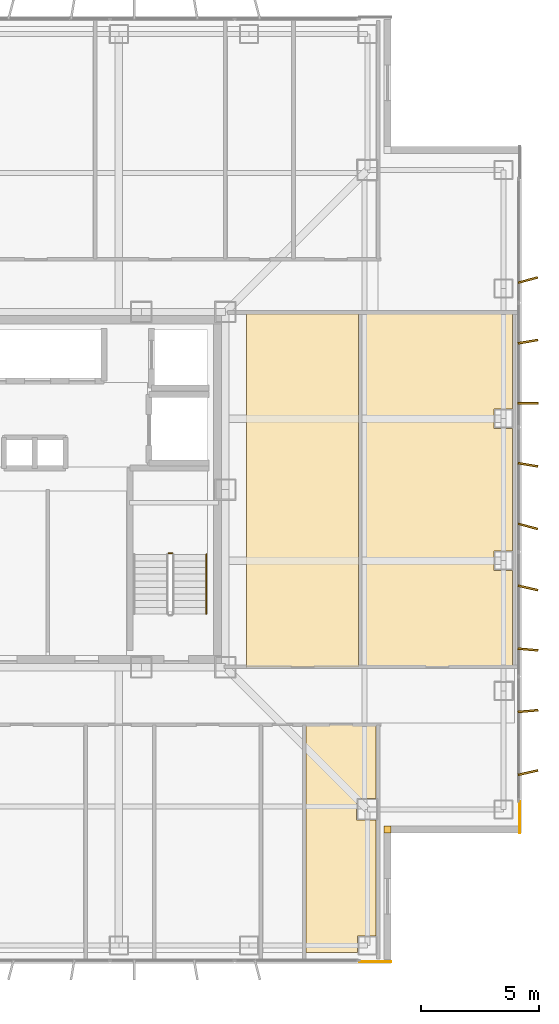
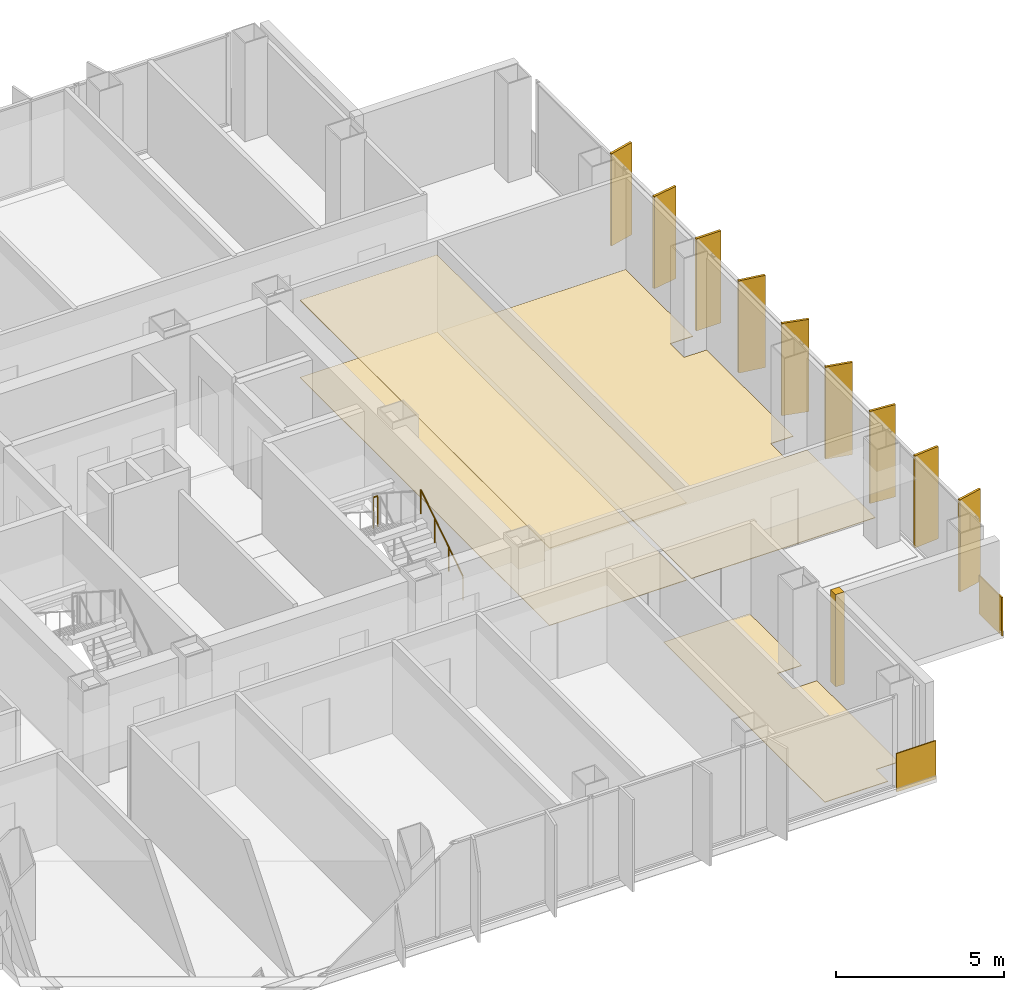
# One storey, part 17 of 18: 9 shading devices, 7 coverings, 2 railings.
"""IFC4 building model written with IfcOpenShell, lengths in metres."""

from ifc_helpers import new_model, si_unit, direction, frame, frame_2d, origin, origin_2d, place, context, subcontext, project, spatial, polyline, rectangle, circle, outline, extrude, material, layer, layer_set, type_object, element, save


model = new_model("IFC4")

# Units and contexts
model_context = context("Model", 3, precision=1e-05, world=origin(), true_north=direction((0.0, 1.0)))
body_context = subcontext(model_context, "Body", "Model", "MODEL_VIEW")
ifc_project = project(units=[si_unit("LENGTHUNIT", "METRE"), si_unit("AREAUNIT", "SQUARE_METRE"), si_unit("VOLUMEUNIT", "CUBIC_METRE"), si_unit("PLANEANGLEUNIT", "RADIAN"), si_unit("MASSUNIT", "GRAM", prefix="KILO")], contexts=[model_context])

# Site, building, storey
site_placement = place(None, origin())
site = spatial("IfcSite", under=ifc_project, at=site_placement, CompositionType="ELEMENT")
building_placement = place(site_placement, origin())
building = spatial("IfcBuilding", under=site, at=building_placement, Name="Trevonay Congress Spire", CompositionType="ELEMENT")
storey_placement = place(building_placement, frame((0.0, 0.0, 173.39990234375)))
storey = spatial("IfcBuildingStorey", under=building, at=storey_placement, Name="L44", CompositionType="ELEMENT", Elevation=173.39990234375)

# Coverings
ifc_material_1 = material(Name="Acoustic Mineral Fibre Board", Category="gypsum")
ifc_layer_1 = layer(ifc_material_1, 0.02490234375, Name="Acoustic Mineral Fibre Board")
ifc_layer_set_1 = layer_set([ifc_layer_1], Name="Acoustic Mineral Fibre Board")
covering_type_1 = type_object("IfcCoveringType", Name="COV-CEIL-ACOUSTIC", PredefinedType="CEILING", material=ifc_layer_set_1)
covering_1_placement = place(storey_placement, frame((0.0, 0.0, 2.81005859375)))
element("IfcCovering", 1, at=covering_1_placement, inside=storey, type_object=covering_type_1, Name="L44 Chambers Espresso Kitchen acoustic suspended ceiling", PredefinedType="CEILING", context=body_context, shape_type="SweptSolid", body=[
    extrude(outline(polyline([(8.39990234375, -7.47998046875), (13.1201171875, -7.47998046875), (13.1201171875, 7.419921875), (8.39990234375, 7.419921875), (8.39990234375, -7.47998046875)])), origin(), (0.0, 0.0, 1.0), 0.025146484375),
])
ifc_material_2 = material(Name="Polished Granite Floor Tile", Category="masonry")
ifc_layer_2 = layer(ifc_material_2, 0.02001953125, Name="Polished Granite Floor Tile")
ifc_layer_set_2 = layer_set([ifc_layer_2], Name="Polished Granite Floor Tile")
covering_type_2 = type_object("IfcCoveringType", Name="COV-FLOOR-STONE", PredefinedType="FLOORING", material=ifc_layer_set_2)
covering_2_placement = place(storey_placement, origin())
element("IfcCovering", 2, at=covering_2_placement, inside=storey, type_object=covering_type_2, Name="L44 Floor Supplies and Copy Room floor finish", PredefinedType="FLOORING", context=body_context, shape_type="SweptSolid", body=[
    extrude(outline(polyline([(10.909912109375, -19.550048828125), (10.909912109375, -9.929931640625), (13.8701171875, -9.929931640625), (13.8701171875, -13.0400390625), (13.0400390625, -13.0400390625), (13.0400390625, -13.9599609375), (13.8701171875, -13.9599609375), (13.8701171875, -18.840087890625), (13.090087890625, -18.840087890625), (13.090087890625, -19.550048828125), (10.909912109375, -19.550048828125)])), origin(), (0.0, 0.0, 1.0), 0.02001953125),
])
covering_3_placement = place(storey_placement, origin())
element("IfcCovering", 3, at=covering_3_placement, inside=storey, type_object=covering_type_2, Name="L44 Chambers Espresso Kitchen floor finish", PredefinedType="FLOORING", context=body_context, shape_type="SweptSolid", body=[
    extrude(outline(polyline([(8.39990234375, -7.47998046875), (13.1201171875, -7.47998046875), (13.1201171875, 7.419921875), (8.39990234375, 7.419921875), (8.39990234375, -7.47998046875)])), origin(), (0.0, 0.0, 1.0), 0.02001953125),
])
covering_4_placement = place(storey_placement, origin())
element("IfcCovering", 4, at=covering_4_placement, inside=storey, type_object=covering_type_2, Name="L44 Law Copy Room floor finish", PredefinedType="FLOORING", context=body_context, shape_type="SweptSolid", body=[
    extrude(outline(polyline([(19.6201171875, -7.47998046875), (13.280029296875, -7.47998046875), (13.280029296875, 7.419921875), (19.6201171875, 7.419921875), (19.6201171875, 3.409912109375), (18.840087890625, 3.409912109375), (18.840087890625, 2.590087890625), (19.6201171875, 2.590087890625), (19.6201171875, -2.590087890625), (18.840087890625, -2.590087890625), (18.840087890625, -3.409912109375), (19.6201171875, -3.409912109375), (19.6201171875, -7.47998046875)])), origin(), (0.0, 0.0, 1.0), 0.02001953125),
])
ifc_material_3 = material(Name="Pale Anodised Aluminium EN AW-6063-T6", Category="aluminium")
ifc_layer_3 = layer(ifc_material_3, 0.0400390625, Name="Pale Anodised Aluminium EN AW-6063-T6")
ifc_layer_set_3 = layer_set([ifc_layer_3], Name="Pale Anodised Aluminium EN AW-6063-T6")
covering_type_3 = type_object("IfcCoveringType", Name="COV-SPANDREL-PALE-METAL", PredefinedType="CLADDING", material=ifc_layer_set_3)
covering_5_placement = place(storey_placement, origin())
element("IfcCovering", 5, at=covering_5_placement, inside=storey, type_object=covering_type_3, Name="L44 SE re-entrant notch corner closure trim", PredefinedType="CLADDING", context=body_context, shape_type="SweptSolid", body=[
    extrude(outline(polyline([(14.199951171875, -14.5), (14.5, -14.5), (14.5, -14.199951171875), (14.199951171875, -14.199951171875), (14.199951171875, -14.5)])), origin(), (0.0, 0.0, 1.0), 3.360107421875),
])
for number, where, z_axis, x_axis, name in (
    (6, (19.93994140625, -13.14990234375, -0.14990234375), (0.0, 0.0, 1.0), (0.0, -1.0, 0.0), "L44 SE corner pier spandrel cladding 1"),
    (7, (13.14990234375, -19.93994140625, -0.14990234375), (0.0, 0.0, 1.0), (1.0, 0.0, 0.0), "L44 SE corner pier spandrel cladding 2"),
):
    element("IfcCovering", number, at=place(storey_placement, frame(where, z_axis=z_axis, x_axis=x_axis)), inside=storey, type_object=covering_type_3, Name=name, PredefinedType="CLADDING", context=body_context, shape_type="SweptSolid", body=[
        extrude(rectangle(XDim=1.35009765625, YDim=0.0400390625, at=frame_2d((0.675048828125, 0.0))), origin(), (0.0, 0.0, 1.0), 1.39990234375),
    ])

# Railings
railing_type_1 = type_object("IfcRailingType", Name="RAL-STAIR-GUARD-110", PredefinedType="GUARDRAIL", material=ifc_material_3)
railing_1_placement = place(storey_placement, frame((5.25, -2.679931640625, 1.800048828125)))
element("IfcRailing", 8, at=railing_1_placement, inside=storey, type_object=railing_type_1, Name="L44 ST-2 stair guard 2", PredefinedType="GUARDRAIL", context=body_context, shape_type="SweptSolid", body=[
    extrude(circle(Radius=0.02392578125, at=origin_2d()), frame((0.0, 0.0, 1.1259765625), z_axis=(-1.0, 0.0, 0.0), x_axis=(0.0, -1.0, 0.0)), (0.0, 0.0, 1.0), 0.14990234375),
    extrude(circle(Radius=0.02099609375, at=origin_2d()), origin(), (0.0, 0.0, 1.0), 1.101806640625),
    extrude(circle(Radius=0.02099609375, at=origin_2d()), frame((-0.14990234375, 0.0, 0.0)), (0.0, 0.0, 1.0), 1.101806640625),
])
railing_type_2 = type_object("IfcRailingType", Name="RAL-STAIR-HANDRAIL", PredefinedType="HANDRAIL", material=ifc_material_3)
railing_2_placement = place(storey_placement, frame((6.699951171875, -5.25, 0.18017578125)))
element("IfcRailing", 9, at=railing_2_placement, inside=storey, type_object=railing_type_2, Name="L44 ST-2 stair handrail 1", PredefinedType="HANDRAIL", context=body_context, shape_type="SweptSolid", body=[
    extrude(circle(Radius=0.02392578125, at=origin_2d()), frame((0.0, 0.0, 0.8759765625), z_axis=(0.0, 0.841199657755, 0.540724639528), x_axis=(-1.0, 0.0, 0.0)), (0.0, 0.0, 1.0), 2.995849609375),
    extrude(circle(Radius=0.02099609375, at=origin_2d()), origin(), (0.0, 0.0, 1.0), 0.851806640625),
    extrude(circle(Radius=0.02099609375, at=origin_2d()), frame((0.0, 0.840087890625, 0.5400390625)), (0.0, 0.0, 1.0), 0.851806640625),
    extrude(circle(Radius=0.02099609375, at=origin_2d()), frame((0.0, 1.679931640625, 1.079833984375)), (0.0, 0.0, 1.0), 0.851806640625),
    extrude(circle(Radius=0.02099609375, at=origin_2d()), frame((0.0, 2.52001953125, 1.619873046875)), (0.0, 0.0, 1.0), 0.851806640625),
])

# Shading devices
shading_device_type = type_object("IfcShadingDeviceType", Name="SHD-FIN-Z3-PALE-METAL", PredefinedType="USERDEFINED", material=ifc_material_3)
for number, where, z_axis, x_axis, name in (
    (10, (20.280029296875, -11.949951171875, 0.0), (0.0, 0.0, 1.0), (-0.224780991261, 0.97440931131, 0.0), "L44 E vertical pale-metal solar fin 1"),
    (11, (20.280029296875, -9.35009765625, 0.0), (0.0, 0.0, 1.0), (-0.089415810539, 0.995994383933, 0.0), "L44 E vertical pale-metal solar fin 2"),
    (12, (20.280029296875, -6.75, 0.0), (0.0, 0.0, 1.0), (0.089415810539, 0.995994383933, 0.0), "L44 E vertical pale-metal solar fin 3"),
    (13, (20.280029296875, -4.14990234375, 0.0), (0.0, 0.0, 1.0), (0.224780991261, 0.97440931131, 0.0), "L44 E vertical pale-metal solar fin 4"),
    (14, (20.280029296875, -1.550048828125, 0.0), (0.0, 0.0, 1.0), (0.2549394954, 0.966957007154, 0.0), "L44 E vertical pale-metal solar fin 5"),
    (15, (20.280029296875, 1.050048828125, 0.0), (0.0, 0.0, 1.0), (0.16745706111, 0.98587937025, 0.0), "L44 E vertical pale-metal solar fin 6"),
    (16, (20.280029296875, 3.64990234375, 0.0), (0.0, 0.0, 1.0), (0.0, 1.0, 0.0), "L44 E vertical pale-metal solar fin 7"),
    (17, (20.280029296875, 6.25, 0.0), (0.0, 0.0, 1.0), (-0.16745706111, 0.98587937025, 0.0), "L44 E vertical pale-metal solar fin 8"),
    (18, (20.280029296875, 8.85009765625, 0.0), (0.0, 0.0, 1.0), (-0.2549394954, 0.966957007154, 0.0), "L44 E vertical pale-metal solar fin 9"),
):
    element("IfcShadingDevice", number, at=place(storey_placement, frame(where, z_axis=z_axis, x_axis=x_axis)), inside=storey, type_object=shading_device_type, Name=name, ObjectType="SOLAR FIN", PredefinedType="USERDEFINED", context=body_context, shape_type="SweptSolid", body=[
        extrude(rectangle(XDim=0.080078125, YDim=0.85009765625, at=origin_2d()), origin(), (0.0, 0.0, 1.0), 3.360107421875),
    ])

save(model, "model.ifc")
